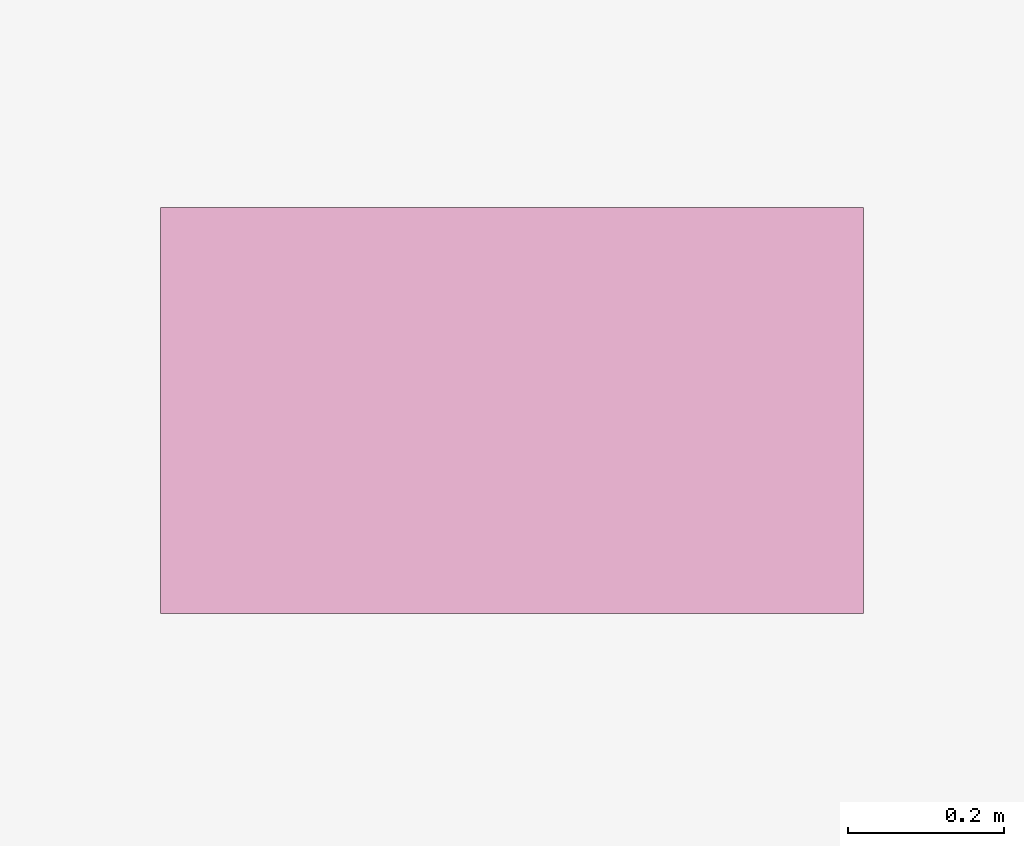
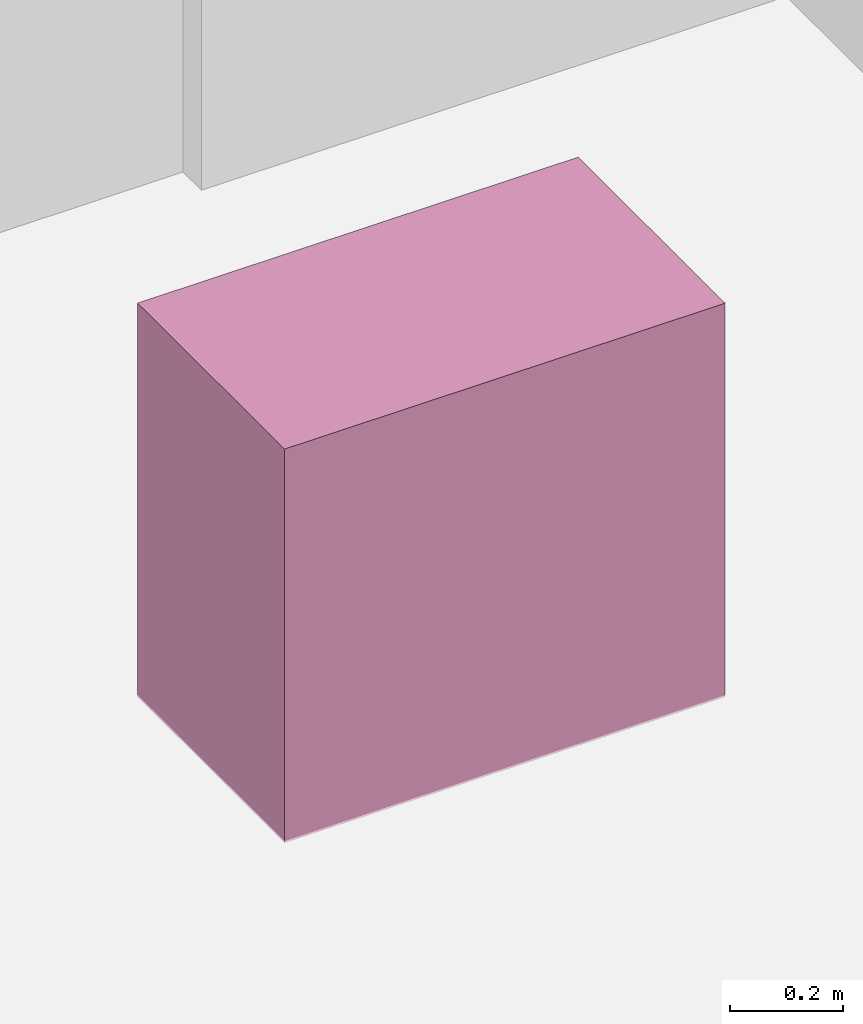
# One storey, part 29 of 29: 1 furnishing.
"""IFC4 building model written with IfcOpenShell, lengths in metres."""

from ifc_helpers import new_model, si_unit, direction, frame, origin, origin_2d, place, context, subcontext, project, spatial, rectangle, extrude, material, type_object, element, save


model = new_model("IFC4")

# Units and contexts
model_context = context("Model", 3, precision=1e-05, world=origin(), true_north=direction((0.0, 1.0)))
body_context = subcontext(model_context, "Body", "Model", "MODEL_VIEW")
ifc_project = project(units=[si_unit("LENGTHUNIT", "METRE"), si_unit("AREAUNIT", "SQUARE_METRE"), si_unit("VOLUMEUNIT", "CUBIC_METRE"), si_unit("PLANEANGLEUNIT", "RADIAN"), si_unit("MASSUNIT", "GRAM", prefix="KILO")], contexts=[model_context])

# Site, building, storey
site_placement = place(None, origin())
site = spatial("IfcSite", under=ifc_project, at=site_placement, CompositionType="ELEMENT")
building_placement = place(site_placement, origin())
building = spatial("IfcBuilding", under=site, at=building_placement, Name="Vorneva Point Tower", CompositionType="ELEMENT")
storey_placement = place(building_placement, frame((0.0, 0.0, 82.300048828125)))
storey = spatial("IfcBuildingStorey", under=building, at=storey_placement, Name="L21", CompositionType="ELEMENT", Elevation=82.300048828125)

# Furnishing
ifc_material = material(Name="Vitreous china and granite top", Category="masonry")
furniture_type = type_object("IfcFurnitureType", Name="FUR-VAN-900", AssemblyPlace="NOTDEFINED", PredefinedType="NOTDEFINED", material=ifc_material)
furnishing_placement = place(storey_placement, frame((37.97509765625, 32.1201171875, -0.005126953125), z_axis=(0.0, 0.0, 1.0), x_axis=(1.0, 0.0, 0.0)))
element("IfcFurnishingElement", 1, at=furnishing_placement, inside=storey, type_object=furniture_type, Name="L21 Accessible WC Vanity Unit", ObjectType="L21 Accessible WC Vanity Unit", context=body_context, shape_type="SweptSolid", body=[
    extrude(rectangle(XDim=0.89990234375, YDim=0.52001953125, at=origin_2d()), origin(), (0.0, 0.0, 1.0), 0.85009765625),
])

save(model, "model.ifc")
